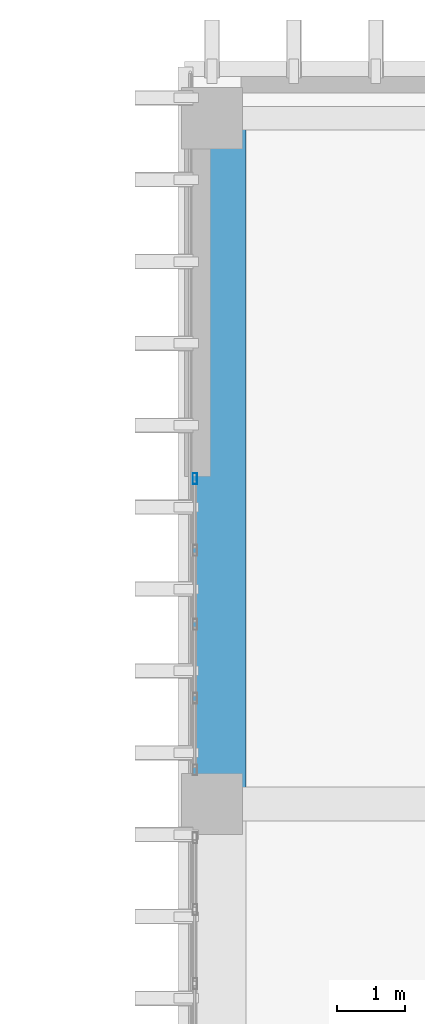
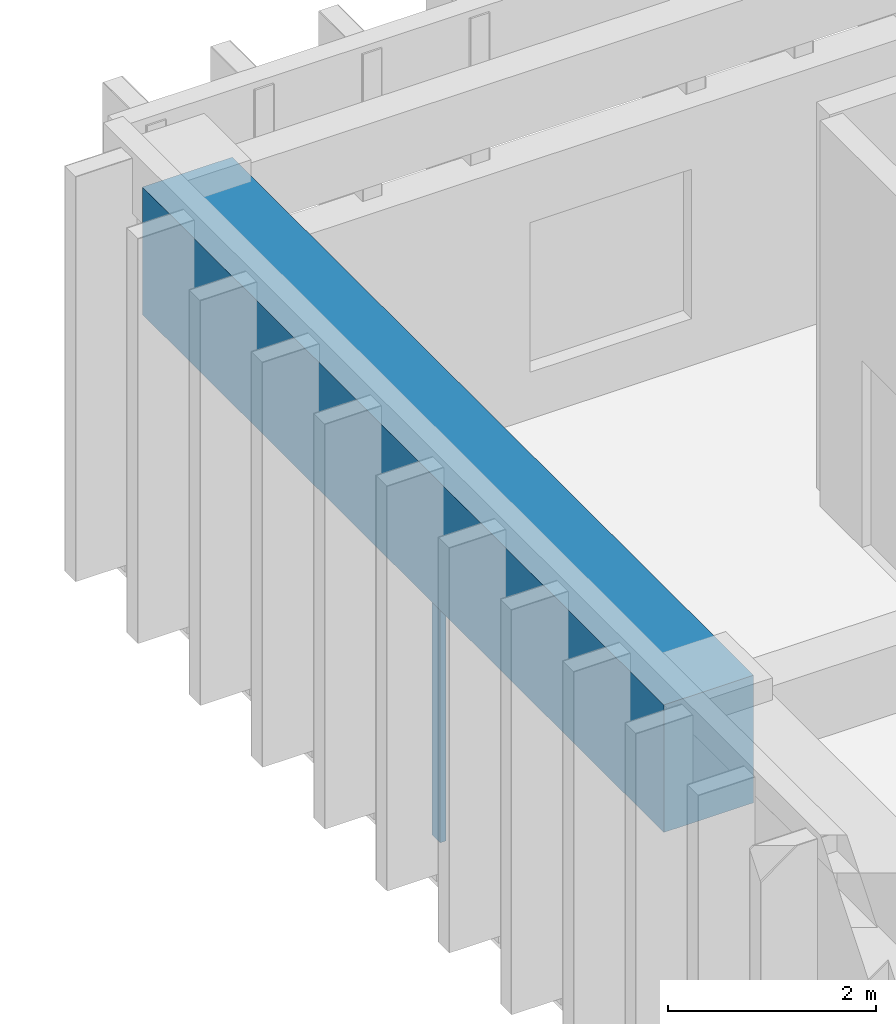
# One storey, part 55 of 101: 1 beam, 1 member, 1 element without a shape of its own.
"""IFC4 building model written with IfcOpenShell, lengths in metres."""

from ifc_helpers import new_model, si_unit, direction, frame, origin, origin_2d, place, context, subcontext, project, spatial, rectangle, hollow_rectangle, extrude, material, layer, layer_set, material_profile, profile_set, type_object, element, aggregate, save


model = new_model("IFC4")

# Units and contexts
model_context = context("Model", 3, precision=1e-05, world=origin(), true_north=direction((0.0, 1.0)))
body_context = subcontext(model_context, "Body", "Model", "MODEL_VIEW")
ifc_project = project(units=[si_unit("LENGTHUNIT", "METRE"), si_unit("AREAUNIT", "SQUARE_METRE"), si_unit("VOLUMEUNIT", "CUBIC_METRE"), si_unit("PLANEANGLEUNIT", "RADIAN"), si_unit("MASSUNIT", "GRAM", prefix="KILO")], contexts=[model_context])

# Site, building, storey
site_placement = place(None, origin())
site = spatial("IfcSite", under=ifc_project, at=site_placement, CompositionType="ELEMENT")
building_placement = place(site_placement, origin())
building = spatial("IfcBuilding", under=site, at=building_placement, Name="Nakhvara Creek Congress Hotel", CompositionType="ELEMENT")
storey_placement = place(building_placement, frame((0.0, 0.0, 16.199951171875)))
storey = spatial("IfcBuildingStorey", under=building, at=storey_placement, Name="L03", CompositionType="ELEMENT", Elevation=16.199951171875)

# Beam
ifc_material_1 = material(Name="Concrete C50/60", Category="concrete")
ifc_material_profile_1 = material_profile(ifc_material_1, rectangle(XDim=1.0, YDim=1.5, at=origin_2d()), Name="RC-TG 1000x1500", Category="LoadBearing")
ifc_profile_set_1 = profile_set([ifc_material_profile_1], Name="Concrete C50/60")
beam_type = type_object("IfcBeamType", Name="BM-TG2-1500", PredefinedType="BEAM", material=ifc_profile_set_1)
beam_placement = place(storey_placement, frame((149.449951171875, 115.199951171875, 3.7900390625), z_axis=(0.0, 1.0, 0.0), x_axis=(-1.0, 0.0, 0.0)))
element("IfcBeam", 1, at=beam_placement, inside=storey, type_object=beam_type, Name="Transfer Girder TG2-L03-1841", PredefinedType="BEAM", context=body_context, shape_type="SweptSolid", body=[
    extrude(rectangle(XDim=1.0, YDim=1.5, at=origin_2d()), origin(), (0.0, 0.0, 1.0), 10.050048828125),
])

# Curtain wall, member
ifc_material_2 = material(Name="Bronze-anodised aluminium AW-6063-T6 and double-silver low-E glass", Category="aluminium")
ifc_layer = layer(ifc_material_2, 0.199951171875)
ifc_layer_set = layer_set([ifc_layer], Name="Bronze-anodised aluminium AW-6063-T6 and double-silver low-E glass")
curtain_wall_type = type_object("IfcCurtainWallType", Name="CW-HTL-UNIT", PredefinedType="USERDEFINED", material=ifc_layer_set)
curtain_wall_placement = place(storey_placement, origin())
curtain_wall = element("IfcCurtainWall", 2, at=curtain_wall_placement, inside=storey, type_object=curtain_wall_type, Name="Curtain Wall CW170", ObjectType="UNITISED", PredefinedType="USERDEFINED")
ifc_material_3 = material(Name="Bronze-anodised aluminium AW-6063-T6", Category="aluminium")
ifc_material_profile_2 = material_profile(ifc_material_3, hollow_rectangle(XDim=0.06494140625, YDim=0.159912109375, WallThickness=0.00390625, at=origin_2d()), Name="ALU-MULL 65x160x4", Category="LoadBearing")
ifc_profile_set_2 = profile_set([ifc_material_profile_2], Name="Bronze-anodised aluminium AW-6063-T6")
member_type = type_object("IfcMemberType", Name="CW-MULL-160", PredefinedType="MULLION", material=ifc_profile_set_2)
member_placement = place(storey_placement, frame((149.199951171875, 119.967529296875, 0.0), z_axis=(0.0, 0.0, 1.0), x_axis=(-1.0, 0.0, 0.0)))
member = element("IfcMember", 3, at=member_placement, type_object=member_type, Name="CW170 mullion 5", PredefinedType="MULLION", context=body_context, shape_type="SweptSolid", body=[
    extrude(hollow_rectangle(XDim=0.06494140625, YDim=0.159912109375, WallThickness=0.00390625, at=origin_2d()), origin(), (0.0, 0.0, 1.0), 3.031982421875),
])
aggregate(curtain_wall, [member])

save(model, "model.ifc")
